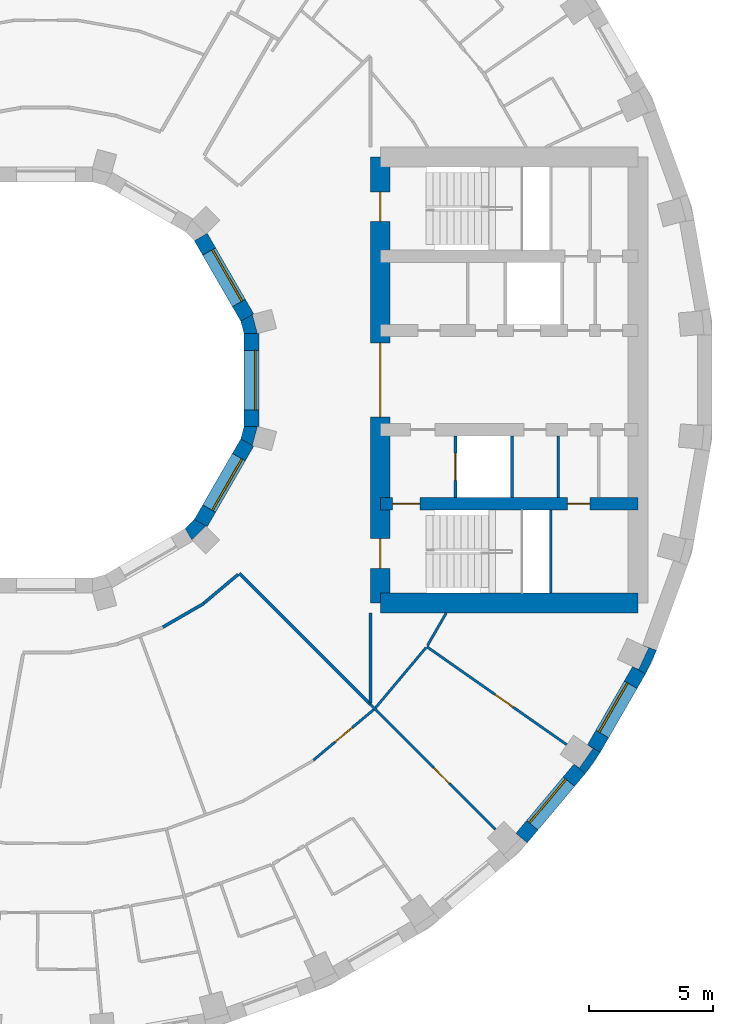
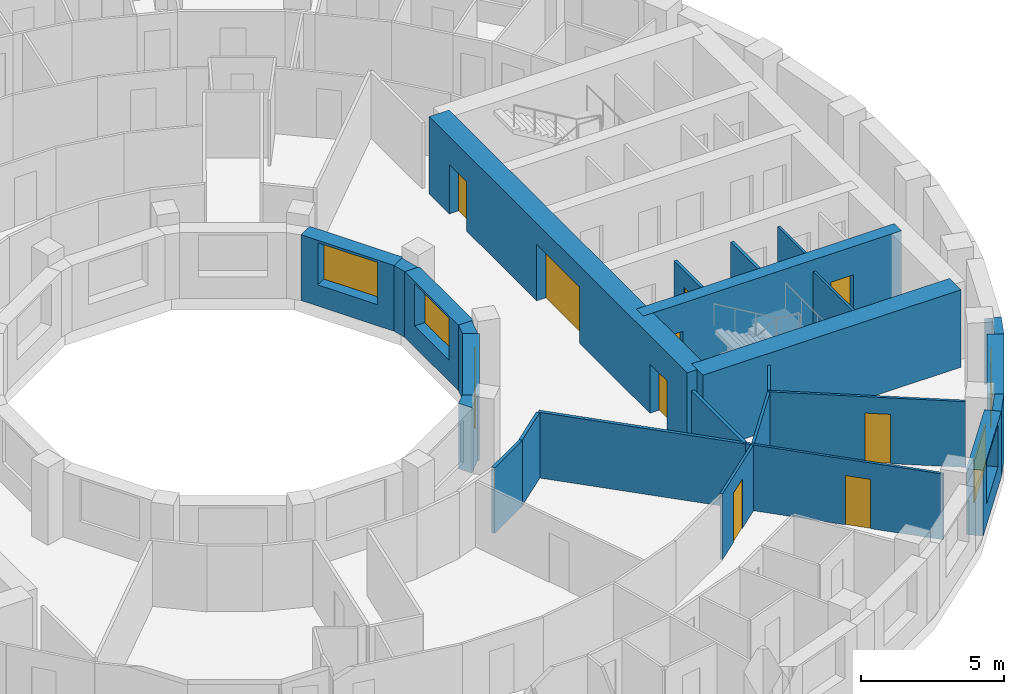
# One storey, part 8 of 14: 26 walls, 9 doors, 5 windows, 14 openings.
"""IFC4 building model written with IfcOpenShell, lengths in metres."""

from ifc_helpers import new_model, si_unit, direction, frame, frame_2d, origin, place, context, subcontext, project, spatial, polyline, rectangle, outline, extrude, material, layer, layer_set, type_object, element, fill, save


model = new_model("IFC4")

# Units and contexts
model_context = context("Model", 3, precision=1e-05, world=origin(), true_north=direction((0.0, 1.0)))
body_context = subcontext(model_context, "Body", "Model", "MODEL_VIEW")
ifc_project = project(units=[si_unit("LENGTHUNIT", "METRE"), si_unit("AREAUNIT", "SQUARE_METRE"), si_unit("VOLUMEUNIT", "CUBIC_METRE"), si_unit("PLANEANGLEUNIT", "RADIAN"), si_unit("MASSUNIT", "GRAM", prefix="KILO")], contexts=[model_context])

# Site, building, storey
site_placement = place(None, origin())
site = spatial("IfcSite", under=ifc_project, at=site_placement, CompositionType="ELEMENT")
building_placement = place(site_placement, origin())
building = spatial("IfcBuilding", under=site, at=building_placement, Name="Saqina Gate Tower", CompositionType="ELEMENT")
storey_placement = place(building_placement, frame((0.0, 0.0, 91.89990234375)))
storey = spatial("IfcBuildingStorey", under=building, at=storey_placement, Name="L25", CompositionType="ELEMENT", Elevation=91.89990234375)

# Walls
ifc_material_1 = material(Name="Brick masonry (buff)", Category="masonry")
wall_type_1 = type_object("IfcWallType", Name="BRICK PIER COPING BUFF", PredefinedType="SOLIDWALL", material=ifc_material_1)
wall_1_placement = place(storey_placement, origin())
element("IfcWall", 1, at=wall_1_placement, inside=storey, type_object=wall_type_1, Name="Pier cap L25 column 33", PredefinedType="SOLIDWALL", context=body_context, shape_type="SweptSolid", body=[
    extrude(outline(polyline([(22.3818359375, -15.0283203125), (21.862060546875, -14.728271484375), (22.08251953125, -14.88232421875), (21.53759765625, -15.66064453125), (21.317138671875, -15.50634765625), (21.77685546875, -15.89208984375), (22.3818359375, -15.0283203125)])), origin(), (0.0, 0.0, 1.0), 2.800048828125),
])
wall_2_placement = place(storey_placement, origin())
element("IfcWall", 2, at=wall_2_placement, inside=storey, type_object=wall_type_1, Name="Pier cap L25 column 34", PredefinedType="SOLIDWALL", context=body_context, shape_type="SweptSolid", body=[
    extrude(outline(polyline([(24.6513671875, -10.913330078125), (24.08740234375, -10.7080078125), (24.331298828125, -10.82177734375), (23.9296875, -11.6826171875), (23.68603515625, -11.569091796875), (24.205810546875, -11.869140625), (24.6513671875, -10.913330078125)])), origin(), (0.0, 0.0, 1.0), 2.800048828125),
])
ifc_material_2 = material(Name="Gypsum board on steel studs", Category="steel")
ifc_layer_1 = layer(ifc_material_2, 0.10009765625)
ifc_layer_set_1 = layer_set([ifc_layer_1], Name="CORE PARTITION")
wall_type_2 = type_object("IfcWallType", Name="CORE PARTITION", PredefinedType="PARTITIONING", material=ifc_layer_set_1)
wall_3_placement = place(storey_placement, frame((20.68603515625, -4.75, 0.0), z_axis=(0.0, 0.0, 1.0), x_axis=(0.0, 1.0, 0.0)))
element("IfcWall", 3, at=wall_3_placement, inside=storey, type_object=wall_type_2, Name="L25-CP-E07", PredefinedType="PARTITIONING", context=body_context, shape_type="SweptSolid", body=[
    extrude(rectangle(XDim=2.5, YDim=0.10009765625, at=frame_2d((1.25, 0.0))), origin(), (0.0, 0.0, 1.0), 2.800048828125),
])

# Wall, opening, window
ifc_material_3 = material(Name="Brick masonry (buff)", Category="masonry")
ifc_layer_2 = layer(ifc_material_3, 0.60009765625)
ifc_layer_set_2 = layer_set([ifc_layer_2], Name="FW-BRICK-BUFF")
wall_type_3 = type_object("IfcWallType", Name="FW-BRICK-BUFF", PredefinedType="SOLIDWALL", material=ifc_layer_set_2)
wall_4_placement = place(storey_placement, frame((19.202392578125, -18.49365234375, 0.0), z_axis=(0.0, 0.0, 1.0), x_axis=(0.642774476932, 0.766055462616, 0.0)))
wall_4 = element("IfcWall", 4, at=wall_4_placement, inside=storey, type_object=wall_type_3, Name="Facade wall L25 facet 32", PredefinedType="SOLIDWALL", context=body_context, shape_type="SweptSolid", body=[
    extrude(rectangle(XDim=3.647705078125, YDim=0.60009765625, at=frame_2d((1.82373046875, 0.0))), origin(), (0.0, 0.0, 1.0), 2.800048828125),
])
opening_1_placement = place(wall_4_placement, frame((0.673828125, 0.0, 0.89990234375)))
opening_1 = element("IfcOpeningElement", 5, at=opening_1_placement, cuts=wall_4, Name="Opening G07-W21", PredefinedType="OPENING", context=body_context, shape_type="SweptSolid", body=[
    extrude(rectangle(XDim=2.300048828125, YDim=1.800048828125, at=frame_2d((1.14990234375, 0.89990234375))), frame((0.0, 0.31201171875, 0.0), z_axis=(0.0, -1.0, 0.0), x_axis=(1.0, 0.0, 0.0)), (0.0, 0.0, 1.0), 0.6240234375),
])
ifc_material_4 = material(Name="Aluminium glazing", Category="aluminium")
window_type_1 = type_object("IfcWindowType", Name="WN-B", PartitioningType="SINGLE_PANEL", PredefinedType="WINDOW", material=ifc_material_4)
window_1_placement = place(opening_1_placement, origin())
window_1 = element("IfcWindow", 6, at=window_1_placement, inside=storey, type_object=window_type_1, Name="Window L25 facet 32", OverallHeight=1.800048828125, OverallWidth=2.300048828125, PartitioningType="SINGLE_PANEL", PredefinedType="WINDOW", context=body_context, shape_type="SweptSolid", body=[
    extrude(rectangle(XDim=2.300048828125, YDim=1.800048828125, at=frame_2d((1.14990234375, 0.89990234375))), frame((0.0, 0.179931640625, 0.0), z_axis=(0.0, -1.0, 0.0), x_axis=(1.0, 0.0, 0.0)), (0.0, 0.0, 1.0), 0.06005859375),
])
fill(opening_1, window_1)

wall_5_placement = place(storey_placement, frame((22.1220703125, -14.878173828125, 0.0), z_axis=(0.0, 0.0, 1.0), x_axis=(0.499954196102, 0.866051847062, 0.0)))
wall_5 = element("IfcWall", 7, at=wall_5_placement, inside=storey, type_object=wall_type_3, Name="Facade wall L25 facet 33", PredefinedType="SOLIDWALL", context=body_context, shape_type="SweptSolid", body=[
    extrude(rectangle(XDim=3.647705078125, YDim=0.60009765625, at=frame_2d((1.82373046875, 0.0))), origin(), (0.0, 0.0, 1.0), 2.800048828125),
])
opening_2_placement = place(wall_5_placement, frame((0.673828125, 0.0, 0.89990234375)))
opening_2 = element("IfcOpeningElement", 8, at=opening_2_placement, cuts=wall_5, Name="Opening G07-W22", PredefinedType="OPENING", context=body_context, shape_type="SweptSolid", body=[
    extrude(rectangle(XDim=2.300048828125, YDim=1.800048828125, at=frame_2d((1.14990234375, 0.89990234375))), frame((0.0, 0.31201171875, 0.0), z_axis=(0.0, -1.0, 0.0), x_axis=(1.0, 0.0, 0.0)), (0.0, 0.0, 1.0), 0.6240234375),
])
window_2_placement = place(opening_2_placement, origin())
window_2 = element("IfcWindow", 9, at=window_2_placement, inside=storey, type_object=window_type_1, Name="Window L25 facet 33", OverallHeight=1.800048828125, OverallWidth=2.300048828125, PartitioningType="SINGLE_PANEL", PredefinedType="WINDOW", context=body_context, shape_type="SweptSolid", body=[
    extrude(rectangle(XDim=2.300048828125, YDim=1.800048828125, at=frame_2d((1.14990234375, 0.89990234375))), frame((0.0, 0.179931640625, 0.0), z_axis=(0.0, -1.0, 0.0), x_axis=(1.0, 0.0, 0.0)), (0.0, 0.0, 1.0), 0.06005859375),
])
fill(opening_2, window_2)

ifc_material_5 = material(Name="Glazed ceramic tile", Category="ceramic")
ifc_layer_3 = layer(ifc_material_5, 0.60009765625)
ifc_layer_set_3 = layer_set([ifc_layer_3], Name="IW-TILE")
wall_type_4 = type_object("IfcWallType", Name="IW-TILE", PredefinedType="SOLIDWALL", material=ifc_layer_set_3)
wall_6_placement = place(storey_placement, frame((8.124755859375, 2.52734375, 0.0), z_axis=(0.0, 0.0, 1.0), x_axis=(-0.499964958637, 0.86604563398, 0.0)))
wall_6 = element("IfcWall", 10, at=wall_6_placement, inside=storey, type_object=wall_type_4, Name="Well wall L25 facet 1", PredefinedType="SOLIDWALL", context=body_context, shape_type="SweptSolid", body=[
    extrude(rectangle(XDim=3.747314453125, YDim=0.60009765625, at=frame_2d((1.87353515625, 0.0))), origin(), (0.0, 0.0, 1.0), 2.800048828125),
])
opening_3_placement = place(wall_6_placement, frame((0.673583984375, 0.0, 0.89990234375)))
opening_3 = element("IfcOpeningElement", 11, at=opening_3_placement, cuts=wall_6, Name="Opening G07-W23", PredefinedType="OPENING", context=body_context, shape_type="SweptSolid", body=[
    extrude(rectangle(XDim=2.39990234375, YDim=1.800048828125, at=frame_2d((1.199951171875, 0.89990234375))), frame((0.0, 0.31201171875, 0.0), z_axis=(0.0, -1.0, 0.0), x_axis=(1.0, 0.0, 0.0)), (0.0, 0.0, 1.0), 0.6240234375),
])
ifc_material_6 = material(Name="Aluminium glazing", Category="aluminium")
window_type_2 = type_object("IfcWindowType", Name="WN-W", PartitioningType="SINGLE_PANEL", PredefinedType="WINDOW", material=ifc_material_6)
window_3_placement = place(opening_3_placement, origin())
window_3 = element("IfcWindow", 12, at=window_3_placement, inside=storey, type_object=window_type_2, Name="Well window L25 facet 1", OverallHeight=1.800048828125, OverallWidth=2.39990234375, PartitioningType="SINGLE_PANEL", PredefinedType="WINDOW", context=body_context, shape_type="SweptSolid", body=[
    extrude(rectangle(XDim=2.39990234375, YDim=1.800048828125, at=frame_2d((1.199951171875, 0.89990234375))), frame((0.0, -0.119873046875, 0.0), z_axis=(0.0, -1.0, 0.0), x_axis=(1.0, 0.0, 0.0)), (0.0, 0.0, 1.0), 0.06005859375),
])
fill(opening_3, window_3)

wall_7_placement = place(storey_placement, frame((6.251220703125, -5.772705078125, 0.0), z_axis=(0.0, 0.0, 1.0), x_axis=(0.499964958637, 0.86604563398, 0.0)))
wall_7 = element("IfcWall", 13, at=wall_7_placement, inside=storey, type_object=wall_type_4, Name="Well wall L25 facet 11", PredefinedType="SOLIDWALL", context=body_context, shape_type="SweptSolid", body=[
    extrude(rectangle(XDim=3.747314453125, YDim=0.60009765625, at=frame_2d((1.87353515625, 0.0))), origin(), (0.0, 0.0, 1.0), 2.800048828125),
])
opening_4_placement = place(wall_7_placement, frame((0.673583984375, 0.0, 0.89990234375)))
opening_4 = element("IfcOpeningElement", 14, at=opening_4_placement, cuts=wall_7, Name="Opening G07-W33", PredefinedType="OPENING", context=body_context, shape_type="SweptSolid", body=[
    extrude(rectangle(XDim=2.39990234375, YDim=1.800048828125, at=frame_2d((1.199951171875, 0.89990234375))), frame((0.0, 0.31201171875, 0.0), z_axis=(0.0, -1.0, 0.0), x_axis=(1.0, 0.0, 0.0)), (0.0, 0.0, 1.0), 0.6240234375),
])
window_4_placement = place(opening_4_placement, origin())
window_4 = element("IfcWindow", 15, at=window_4_placement, inside=storey, type_object=window_type_2, Name="Well window L25 facet 11", OverallHeight=1.800048828125, OverallWidth=2.39990234375, PartitioningType="SINGLE_PANEL", PredefinedType="WINDOW", context=body_context, shape_type="SweptSolid", body=[
    extrude(rectangle(XDim=2.39990234375, YDim=1.800048828125, at=frame_2d((1.199951171875, 0.89990234375))), frame((0.0, -0.119873046875, 0.0), z_axis=(0.0, -1.0, 0.0), x_axis=(1.0, 0.0, 0.0)), (0.0, 0.0, 1.0), 0.06005859375),
])
fill(opening_4, window_4)

wall_8_placement = place(storey_placement, frame((8.300048828125, -1.873779296875, 0.0), z_axis=(0.0, 0.0, 1.0), x_axis=(0.0, 1.0, 0.0)))
wall_8 = element("IfcWall", 16, at=wall_8_placement, inside=storey, type_object=wall_type_4, Name="Well wall L25 facet 12", PredefinedType="SOLIDWALL", context=body_context, shape_type="SweptSolid", body=[
    extrude(rectangle(XDim=3.74755859375, YDim=0.60009765625, at=frame_2d((1.873779296875, 0.0))), origin(), (0.0, 0.0, 1.0), 2.800048828125),
])
opening_5_placement = place(wall_8_placement, frame((0.673583984375, 0.0, 0.89990234375)))
opening_5 = element("IfcOpeningElement", 17, at=opening_5_placement, cuts=wall_8, Name="Opening G07-W34", PredefinedType="OPENING", context=body_context, shape_type="SweptSolid", body=[
    extrude(rectangle(XDim=2.39990234375, YDim=1.800048828125, at=frame_2d((1.199951171875, 0.89990234375))), frame((0.0, 0.31201171875, 0.0), z_axis=(0.0, -1.0, 0.0), x_axis=(1.0, 0.0, 0.0)), (0.0, 0.0, 1.0), 0.6240234375),
])
window_5_placement = place(opening_5_placement, origin())
window_5 = element("IfcWindow", 18, at=window_5_placement, inside=storey, type_object=window_type_2, Name="Well window L25 facet 12", OverallHeight=1.800048828125, OverallWidth=2.39990234375, PartitioningType="SINGLE_PANEL", PredefinedType="WINDOW", context=body_context, shape_type="SweptSolid", body=[
    extrude(rectangle(XDim=2.39990234375, YDim=1.800048828125, at=frame_2d((1.199951171875, 0.89990234375))), frame((0.0, -0.119873046875, 0.0), z_axis=(0.0, -1.0, 0.0), x_axis=(1.0, 0.0, 0.0)), (0.0, 0.0, 1.0), 0.06005859375),
])
fill(opening_5, window_5)

# Wall, opening, door
ifc_material_7 = material(Name="Gypsum board on steel studs, 100 mm", Category="steel")
ifc_layer_4 = layer(ifc_material_7, 0.10009765625)
ifc_layer_set_4 = layer_set([ifc_layer_4], Name="PARTITION 100")
wall_type_5 = type_object("IfcWallType", Name="PARTITION 100", PredefinedType="PARTITIONING", material=ifc_layer_set_4)
wall_9_placement = place(storey_placement, frame((13.10009765625, -13.10009765625, 0.0), z_axis=(0.0, 0.0, 1.0), x_axis=(0.707106781187, -0.707106781187, 0.0)))
wall_9 = element("IfcWall", 19, at=wall_9_placement, inside=storey, type_object=wall_type_5, Name="PARTITION PW3-22", PredefinedType="PARTITIONING", context=body_context, shape_type="SweptSolid", body=[
    extrude(rectangle(XDim=7.138671875, YDim=0.10009765625, at=frame_2d((3.5693359375, 0.0))), origin(), (0.0, 0.0, 1.0), 2.800048828125),
])
opening_6_placement = place(wall_9_placement, frame((3.60888671875, 0.0, 0.0)))
opening_6 = element("IfcOpeningElement", 20, at=opening_6_placement, cuts=wall_9, Name="Opening G07-D49", PredefinedType="OPENING", context=body_context, shape_type="SweptSolid", body=[
    extrude(rectangle(XDim=0.89990234375, YDim=2.10009765625, at=frame_2d((0.449951171875, 1.050048828125))), frame((0.0, 0.06201171875, 0.0), z_axis=(0.0, -1.0, 0.0), x_axis=(1.0, 0.0, 0.0)), (0.0, 0.0, 1.0), 0.1240234375),
])
ifc_material_8 = material(Name="Timber door leaf, 900 mm", Category="wood")
door_type_1 = type_object("IfcDoorType", Name="DOOR 900 TIMBER", OperationType="SINGLE_SWING_LEFT", PredefinedType="DOOR", material=ifc_material_8)
door_1_placement = place(opening_6_placement, frame((0.89990234375, 0.0, 0.0), z_axis=(0.0, 0.0, 1.0), x_axis=(-1.0, 0.0, 0.0)))
door_1 = element("IfcDoor", 21, at=door_1_placement, inside=storey, type_object=door_type_1, Name="DOOR G07-D49", OperationType="SINGLE_SWING_LEFT", OverallHeight=2.10009765625, OverallWidth=0.89990234375, PredefinedType="DOOR", context=body_context, shape_type="SweptSolid", body=[
    extrude(rectangle(XDim=0.89990234375, YDim=2.10009765625, at=frame_2d((0.449951171875, 1.050048828125))), frame((0.0, 0.02490234375, 0.0), z_axis=(0.0, -1.0, 0.0), x_axis=(1.0, 0.0, 0.0)), (0.0, 0.0, 1.0), 0.050048828125),
])
fill(opening_6, door_1)

wall_10_placement = place(storey_placement, frame((15.3759765625, -10.76611328125, 0.0), z_axis=(0.0, 0.0, 1.0), x_axis=(0.819178682921, -0.573538390562, 0.0)))
wall_10 = element("IfcWall", 22, at=wall_10_placement, inside=storey, type_object=wall_type_5, Name="PARTITION PW3-29", PredefinedType="PARTITIONING", context=body_context, shape_type="SweptSolid", body=[
    extrude(rectangle(XDim=6.89453125, YDim=0.10009765625, at=frame_2d((3.447265625, 0.0))), origin(), (0.0, 0.0, 1.0), 2.800048828125),
])
opening_7_placement = place(wall_10_placement, frame((3.36474609375, 0.0, 0.0)))
opening_7 = element("IfcOpeningElement", 23, at=opening_7_placement, cuts=wall_10, Name="Opening G07-D50", PredefinedType="OPENING", context=body_context, shape_type="SweptSolid", body=[
    extrude(rectangle(XDim=0.89990234375, YDim=2.10009765625, at=frame_2d((0.449951171875, 1.050048828125))), frame((0.0, 0.06201171875, 0.0), z_axis=(0.0, -1.0, 0.0), x_axis=(1.0, 0.0, 0.0)), (0.0, 0.0, 1.0), 0.1240234375),
])
door_2_placement = place(opening_7_placement, origin())
door_2 = element("IfcDoor", 24, at=door_2_placement, inside=storey, type_object=door_type_1, Name="DOOR G07-D50", OperationType="SINGLE_SWING_RIGHT", OverallHeight=2.10009765625, OverallWidth=0.89990234375, PredefinedType="DOOR", context=body_context, shape_type="SweptSolid", body=[
    extrude(rectangle(XDim=0.89990234375, YDim=2.10009765625, at=frame_2d((0.449951171875, 1.050048828125))), frame((0.0, 0.02490234375, 0.0), z_axis=(0.0, -1.0, 0.0), x_axis=(1.0, 0.0, 0.0)), (0.0, 0.0, 1.0), 0.050048828125),
])
fill(opening_7, door_2)

wall_11_placement = place(storey_placement, frame((10.80419921875, -15.34375, 0.0), z_axis=(0.0, 0.0, 1.0), x_axis=(0.766167094934, 0.642641410618, 0.0)))
wall_11 = element("IfcWall", 25, at=wall_11_placement, inside=storey, type_object=wall_type_5, Name="PARTITION PW3-78", PredefinedType="PARTITIONING", context=body_context, shape_type="SweptSolid", body=[
    extrude(rectangle(XDim=3.172119140625, YDim=0.10009765625, at=frame_2d((1.5859375, 0.0))), origin(), (0.0, 0.0, 1.0), 2.800048828125),
])
opening_8_placement = place(wall_11_placement, frame((1.135986328125, 0.0, 0.0)))
opening_8 = element("IfcOpeningElement", 26, at=opening_8_placement, cuts=wall_11, Name="Opening G07-D48", PredefinedType="OPENING", context=body_context, shape_type="SweptSolid", body=[
    extrude(rectangle(XDim=0.89990234375, YDim=2.10009765625, at=frame_2d((0.449951171875, 1.050048828125))), frame((0.0, 0.06201171875, 0.0), z_axis=(0.0, -1.0, 0.0), x_axis=(1.0, 0.0, 0.0)), (0.0, 0.0, 1.0), 0.1240234375),
])
door_3_placement = place(opening_8_placement, origin())
door_3 = element("IfcDoor", 27, at=door_3_placement, inside=storey, type_object=door_type_1, Name="DOOR G07-D48", OperationType="SINGLE_SWING_LEFT", OverallHeight=2.10009765625, OverallWidth=0.89990234375, PredefinedType="DOOR", context=body_context, shape_type="SweptSolid", body=[
    extrude(rectangle(XDim=0.89990234375, YDim=2.10009765625, at=frame_2d((0.449951171875, 1.050048828125))), frame((0.0, 0.02490234375, 0.0), z_axis=(0.0, -1.0, 0.0), x_axis=(1.0, 0.0, 0.0)), (0.0, 0.0, 1.0), 0.050048828125),
])
fill(opening_8, door_3)

# Walls
wall_12_placement = place(storey_placement, frame((13.30517578125, -13.234619140625, 0.0), z_axis=(0.0, 0.0, 1.0), x_axis=(0.642641410618, 0.766167094934, 0.0)))
element("IfcWall", 28, at=wall_12_placement, inside=storey, type_object=wall_type_5, Name="PARTITION PW3-82", PredefinedType="PARTITIONING", context=body_context, shape_type="SweptSolid", body=[
    extrude(rectangle(XDim=3.172119140625, YDim=0.10009765625, at=frame_2d((1.5859375, 0.0))), origin(), (0.0, 0.0, 1.0), 2.800048828125),
])
wall_13_placement = place(storey_placement, frame((15.401123046875, -10.72265625, 0.0), z_axis=(0.0, 0.0, 1.0), x_axis=(0.500035603698, 0.866004847004, 0.0)))
element("IfcWall", 29, at=wall_13_placement, inside=storey, type_object=wall_type_5, Name="PARTITION PW3-88", PredefinedType="PARTITIONING", context=body_context, shape_type="SweptSolid", body=[
    extrude(rectangle(XDim=1.52978515625, YDim=0.10009765625, at=frame_2d((0.764892578125, 0.0))), origin(), (0.0, 0.0, 1.0), 2.800048828125),
])
ifc_material_9 = material(Name="Gypsum board on steel studs, 125 mm, fire rated", Category="steel")
ifc_layer_5 = layer(ifc_material_9, 0.125)
ifc_layer_set_5 = layer_set([ifc_layer_5], Name="PARTITION EI 30 125")
wall_type_6 = type_object("IfcWallType", Name="PARTITION EI 30 125", PredefinedType="PARTITIONING", material=ifc_layer_set_5)
wall_14_placement = place(storey_placement, frame((7.80810546875, -7.80810546875, 0.0), z_axis=(0.0, 0.0, 1.0), x_axis=(0.707106781187, -0.707106781187, 0.0)))
element("IfcWall", 30, at=wall_14_placement, inside=storey, type_object=wall_type_6, Name="PARTITION PW1-10", PredefinedType="PARTITIONING", context=body_context, shape_type="SweptSolid", body=[
    extrude(rectangle(XDim=7.48388671875, YDim=0.125, at=frame_2d((3.741943359375, 0.0))), origin(), (0.0, 0.0, 1.0), 2.800048828125),
])
wall_15_placement = place(storey_placement, frame((4.72119140625, -9.975830078125, 0.0), z_axis=(0.0, 0.0, 1.0), x_axis=(0.865946867621, 0.500136003959, 0.0)))
element("IfcWall", 31, at=wall_15_placement, inside=storey, type_object=wall_type_6, Name="PARTITION PW1-40", PredefinedType="PARTITIONING", context=body_context, shape_type="SweptSolid", body=[
    extrude(rectangle(XDim=1.9248046875, YDim=0.125, at=frame_2d((0.96240234375, 0.0))), origin(), (0.0, 0.0, 1.0), 2.800048828125),
])
wall_16_placement = place(storey_placement, frame((6.380859375, -9.0048828125, 0.0), z_axis=(0.0, 0.0, 1.0), x_axis=(0.766182926266, 0.642622535785, 0.0)))
element("IfcWall", 32, at=wall_16_placement, inside=storey, type_object=wall_type_6, Name="PARTITION PW1-41", PredefinedType="PARTITIONING", context=body_context, shape_type="SweptSolid", body=[
    extrude(rectangle(XDim=1.800048828125, YDim=0.125, at=frame_2d((0.89990234375, 0.0))), origin(), (0.0, 0.0, 1.0), 2.800048828125),
])
wall_17_placement = place(storey_placement, frame((13.10009765625, -13.03759765625, 0.0), z_axis=(0.0, 0.0, 1.0), x_axis=(0.0, 1.0, 0.0)))
element("IfcWall", 33, at=wall_17_placement, inside=storey, type_object=wall_type_6, Name="PARTITION PW1-49", PredefinedType="PARTITIONING", context=body_context, shape_type="SweptSolid", body=[
    extrude(rectangle(XDim=3.6376953125, YDim=0.125, at=frame_2d((1.81884765625, 0.0))), origin(), (0.0, 0.0, 1.0), 2.800048828125),
])

# Wall, opening, door
ifc_material_10 = material(Name="Autoclaved aerated concrete block", Category="concrete")
ifc_layer_6 = layer(ifc_material_10, 0.1201171875)
ifc_layer_set_6 = layer_set([ifc_layer_6], Name="SHAFT PARTITION")
wall_type_7 = type_object("IfcWallType", Name="SHAFT PARTITION", PredefinedType="PARTITIONING", material=ifc_layer_set_6)
wall_18_placement = place(storey_placement, frame((16.530029296875, -4.75, 0.0), z_axis=(0.0, 0.0, 1.0), x_axis=(0.0, 1.0, 0.0)))
wall_18 = element("IfcWall", 34, at=wall_18_placement, inside=storey, type_object=wall_type_7, Name="L25-CP-E05", PredefinedType="PARTITIONING", context=body_context, shape_type="SweptSolid", body=[
    extrude(rectangle(XDim=2.5, YDim=0.1201171875, at=frame_2d((1.25, 0.0))), origin(), (0.0, 0.0, 1.0), 2.800048828125),
])
opening_9_placement = place(wall_18_placement, frame((0.699951171875, 0.0, 0.0)))
opening_9 = element("IfcOpeningElement", 35, at=opening_9_placement, cuts=wall_18, Name="Opening G07-LD2", PredefinedType="OPENING", context=body_context, shape_type="SweptSolid", body=[
    extrude(rectangle(XDim=1.10009765625, YDim=2.10009765625, at=frame_2d((0.550048828125, 1.050048828125))), frame((0.0, 0.072021484375, 0.0), z_axis=(0.0, -1.0, 0.0), x_axis=(1.0, 0.0, 0.0)), (0.0, 0.0, 1.0), 0.14404296875),
])
ifc_material_11 = material(Name="Stainless steel", Category="steel")
door_type_2 = type_object("IfcDoorType", Name="LANDING DOOR", OperationType="DOUBLE_DOOR_SLIDING", PredefinedType="DOOR", material=ifc_material_11)
door_4_placement = place(opening_9_placement, origin())
door_4 = element("IfcDoor", 36, at=door_4_placement, inside=storey, type_object=door_type_2, Name="LANDING DOOR FF1", OperationType="DOUBLE_DOOR_SLIDING", OverallHeight=2.10009765625, OverallWidth=1.10009765625, PredefinedType="DOOR", context=body_context, shape_type="SweptSolid", body=[
    extrude(rectangle(XDim=1.10009765625, YDim=2.10009765625, at=frame_2d((0.550048828125, 1.050048828125))), frame((0.0, 0.02490234375, 0.0), z_axis=(0.0, -1.0, 0.0), x_axis=(1.0, 0.0, 0.0)), (0.0, 0.0, 1.0), 0.050048828125),
])
fill(opening_9, door_4)

# Walls
wall_19_placement = place(storey_placement, frame((18.81005859375, -4.75, 0.0), z_axis=(0.0, 0.0, 1.0), x_axis=(0.0, 1.0, 0.0)))
element("IfcWall", 37, at=wall_19_placement, inside=storey, type_object=wall_type_7, Name="L25-CP-E06", PredefinedType="PARTITIONING", context=body_context, shape_type="SweptSolid", body=[
    extrude(rectangle(XDim=2.5, YDim=0.1201171875, at=frame_2d((1.25, 0.0))), origin(), (0.0, 0.0, 1.0), 2.800048828125),
])
ifc_material_12 = material(Name="Autoclaved aerated concrete block", Category="concrete")
ifc_layer_7 = layer(ifc_material_12, 0.10009765625)
ifc_layer_set_7 = layer_set([ifc_layer_7], Name="STAIR ENCLOSURE WALL")
wall_type_8 = type_object("IfcWallType", Name="STAIR ENCLOSURE WALL", PredefinedType="PARTITIONING", material=ifc_layer_set_7)
wall_20_placement = place(storey_placement, frame((20.389892578125, -8.60009765625, 0.0), z_axis=(0.0, 0.0, 1.0), x_axis=(0.0, 1.0, 0.0)))
element("IfcWall", 38, at=wall_20_placement, inside=storey, type_object=wall_type_8, Name="L25-CP-E11", PredefinedType="PARTITIONING", context=body_context, shape_type="SweptSolid", body=[
    extrude(rectangle(XDim=3.35009765625, YDim=0.10009765625, at=frame_2d((1.675048828125, 0.0))), origin(), (0.0, 0.0, 1.0), 2.800048828125),
])

# Wall, openings, doors
ifc_material_13 = material(Name="Concrete C70/85", Category="concrete")
ifc_layer_8 = layer(ifc_material_13, 0.5)
ifc_layer_set_8 = layer_set([ifc_layer_8], Name="Concrete C70/85")
wall_type_9 = type_object("IfcWallType", Name="STR-CORE WALL-B-I", PredefinedType="SHEAR", material=ifc_layer_set_8)
wall_21_placement = place(storey_placement, frame((13.5, -5.0, 0.0), z_axis=(0.0, 0.0, 1.0), x_axis=(1.0, 0.0, 0.0)))
wall_21 = element("IfcWall", 39, at=wall_21_placement, inside=storey, type_object=wall_type_9, Name="CORE WALL L25 E-X2", PredefinedType="SHEAR", context=body_context, shape_type="SweptSolid", body=[
    extrude(rectangle(XDim=10.39990234375, YDim=0.5, at=frame_2d((5.199951171875, 0.0))), origin(), (0.0, 0.0, 1.0), 3.300048828125),
])
opening_10_placement = place(wall_21_placement, frame((7.556640625, 0.0, 0.0)))
opening_10 = element("IfcOpeningElement", 40, at=opening_10_placement, cuts=wall_21, Name="Opening G07-D100", PredefinedType="OPENING", context=body_context, shape_type="SweptSolid", body=[
    extrude(rectangle(XDim=0.89990234375, YDim=2.10009765625, at=frame_2d((0.449951171875, 1.050048828125))), frame((0.0, 0.261962890625, 0.0), z_axis=(0.0, -1.0, 0.0), x_axis=(1.0, 0.0, 0.0)), (0.0, 0.0, 1.0), 0.52392578125),
])
opening_11_placement = place(wall_21_placement, frame((0.5, 0.0, 0.0)))
opening_11 = element("IfcOpeningElement", 41, at=opening_11_placement, cuts=wall_21, Name="Opening G07-D101", PredefinedType="OPENING", context=body_context, shape_type="SweptSolid", body=[
    extrude(rectangle(XDim=1.10009765625, YDim=2.10009765625, at=frame_2d((0.550048828125, 1.050048828125))), frame((0.0, 0.261962890625, 0.0), z_axis=(0.0, -1.0, 0.0), x_axis=(1.0, 0.0, 0.0)), (0.0, 0.0, 1.0), 0.52392578125),
])
ifc_material_14 = material(Name="Steel", Category="steel")
door_type_3 = type_object("IfcDoorType", Name="FIRE LOBBY DOOR EI 60 WIDE", OperationType="SINGLE_SWING_LEFT", PredefinedType="DOOR", material=ifc_material_14)
door_5_placement = place(opening_11_placement, frame((1.10009765625, 0.0, 0.0), z_axis=(0.0, 0.0, 1.0), x_axis=(-1.0, 0.0, 0.0)))
door_5 = element("IfcDoor", 42, at=door_5_placement, inside=storey, type_object=door_type_3, Name="L25-CD-E12", OperationType="SINGLE_SWING_RIGHT", OverallHeight=2.10009765625, OverallWidth=1.10009765625, PredefinedType="DOOR", context=body_context, shape_type="SweptSolid", body=[
    extrude(rectangle(XDim=1.10009765625, YDim=2.10009765625, at=frame_2d((0.550048828125, 1.050048828125))), frame((0.0, 0.02490234375, 0.0), z_axis=(0.0, -1.0, 0.0), x_axis=(1.0, 0.0, 0.0)), (0.0, 0.0, 1.0), 0.050048828125),
])
fill(opening_11, door_5)
ifc_material_15 = material(Name="Steel-framed fire door leaf, EI 60", Category="steel")
door_type_4 = type_object("IfcDoorType", Name="SERVICE ROOM DOOR 900", OperationType="SINGLE_SWING_LEFT", PredefinedType="DOOR", material=ifc_material_15)
door_6_placement = place(opening_10_placement, frame((0.89990234375, 0.0, 0.0), z_axis=(0.0, 0.0, 1.0), x_axis=(-1.0, 0.0, 0.0)))
door_6 = element("IfcDoor", 43, at=door_6_placement, inside=storey, type_object=door_type_4, Name="L25-CD-E11", OperationType="SINGLE_SWING_LEFT", OverallHeight=2.10009765625, OverallWidth=0.89990234375, PredefinedType="DOOR", context=body_context, shape_type="SweptSolid", body=[
    extrude(rectangle(XDim=0.89990234375, YDim=2.10009765625, at=frame_2d((0.449951171875, 1.050048828125))), frame((0.0, 0.02490234375, 0.0), z_axis=(0.0, -1.0, 0.0), x_axis=(1.0, 0.0, 0.0)), (0.0, 0.0, 1.0), 0.050048828125),
])
fill(opening_10, door_6)

ifc_material_16 = material(Name="Concrete C70/85", Category="concrete")
ifc_layer_9 = layer(ifc_material_16, 0.800048828125)
ifc_layer_set_9 = layer_set([ifc_layer_9], Name="Concrete C70/85")
wall_type_10 = type_object("IfcWallType", Name="STR-CORE WALL-B-O", PredefinedType="SHEAR", material=ifc_layer_set_9)
wall_22_placement = place(storey_placement, frame((13.5, -9.0, 0.0), z_axis=(0.0, 0.0, 1.0), x_axis=(0.0, 1.0, 0.0)))
wall_22 = element("IfcWall", 44, at=wall_22_placement, inside=storey, type_object=wall_type_10, Name="CORE WALL L25 E-W1", PredefinedType="SHEAR", context=body_context, shape_type="SweptSolid", body=[
    extrude(rectangle(XDim=18.0, YDim=0.800048828125, at=frame_2d((9.0, 0.0))), origin(), (0.0, 0.0, 1.0), 3.300048828125),
])
opening_12_placement = place(wall_22_placement, frame((15.39990234375, 0.0, 0.0)))
opening_12 = element("IfcOpeningElement", 45, at=opening_12_placement, cuts=wall_22, Name="Opening G07-D102", PredefinedType="OPENING", context=body_context, shape_type="SweptSolid", body=[
    extrude(rectangle(XDim=1.199951171875, YDim=2.10009765625, at=frame_2d((0.60009765625, 1.050048828125))), frame((0.0, 0.412109375, 0.0), z_axis=(0.0, -1.0, 0.0), x_axis=(1.0, 0.0, 0.0)), (0.0, 0.0, 1.0), 0.823974609375),
])
opening_13_placement = place(wall_22_placement, frame((1.39990234375, 0.0, 0.0)))
opening_13 = element("IfcOpeningElement", 46, at=opening_13_placement, cuts=wall_22, Name="Opening G07-D103", PredefinedType="OPENING", context=body_context, shape_type="SweptSolid", body=[
    extrude(rectangle(XDim=1.199951171875, YDim=2.10009765625, at=frame_2d((0.60009765625, 1.050048828125))), frame((0.0, 0.412109375, 0.0), z_axis=(0.0, -1.0, 0.0), x_axis=(1.0, 0.0, 0.0)), (0.0, 0.0, 1.0), 0.823974609375),
])
opening_14_placement = place(wall_22_placement, frame((7.5, 0.0, 0.0)))
opening_14 = element("IfcOpeningElement", 47, at=opening_14_placement, cuts=wall_22, Name="Opening G07-D104", PredefinedType="OPENING", context=body_context, shape_type="SweptSolid", body=[
    extrude(rectangle(XDim=3.0, YDim=2.39990234375, at=frame_2d((1.5, 1.199951171875))), frame((0.0, 0.412109375, 0.0), z_axis=(0.0, -1.0, 0.0), x_axis=(1.0, 0.0, 0.0)), (0.0, 0.0, 1.0), 0.823974609375),
])
ifc_material_17 = material(Name="Steel", Category="steel")
door_type_5 = type_object("IfcDoorType", Name="FIRE DOOR EI 60", OperationType="SINGLE_SWING_LEFT", PredefinedType="DOOR", material=ifc_material_17)
door_7_placement = place(opening_12_placement, frame((1.199951171875, 0.0, 0.0), z_axis=(0.0, 0.0, 1.0), x_axis=(-1.0, 0.0, 0.0)))
door_7 = element("IfcDoor", 48, at=door_7_placement, inside=storey, type_object=door_type_5, Name="L25-CD-E13", OperationType="SINGLE_SWING_LEFT", OverallHeight=2.10009765625, OverallWidth=1.199951171875, PredefinedType="DOOR", context=body_context, shape_type="SweptSolid", body=[
    extrude(rectangle(XDim=1.199951171875, YDim=2.10009765625, at=frame_2d((0.60009765625, 1.050048828125))), frame((0.0, 0.02490234375, 0.0), z_axis=(0.0, -1.0, 0.0), x_axis=(1.0, 0.0, 0.0)), (0.0, 0.0, 1.0), 0.050048828125),
])
fill(opening_12, door_7)
door_8_placement = place(opening_13_placement, frame((1.199951171875, 0.0, 0.0), z_axis=(0.0, 0.0, 1.0), x_axis=(-1.0, 0.0, 0.0)))
door_8 = element("IfcDoor", 49, at=door_8_placement, inside=storey, type_object=door_type_5, Name="L25-CD-E14", OperationType="SINGLE_SWING_RIGHT", OverallHeight=2.10009765625, OverallWidth=1.199951171875, PredefinedType="DOOR", context=body_context, shape_type="SweptSolid", body=[
    extrude(rectangle(XDim=1.199951171875, YDim=2.10009765625, at=frame_2d((0.60009765625, 1.050048828125))), frame((0.0, 0.02490234375, 0.0), z_axis=(0.0, -1.0, 0.0), x_axis=(1.0, 0.0, 0.0)), (0.0, 0.0, 1.0), 0.050048828125),
])
fill(opening_13, door_8)
ifc_material_18 = material(Name="Steel and fire-resisting glass", Category="steel")
door_type_6 = type_object("IfcDoorType", Name="LOBBY SCREEN DOOR", OperationType="DOUBLE_DOOR_SLIDING", PredefinedType="DOOR", material=ifc_material_18)
door_9_placement = place(opening_14_placement, origin())
door_9 = element("IfcDoor", 50, at=door_9_placement, inside=storey, type_object=door_type_6, Name="L25-CD-E15", OperationType="DOUBLE_DOOR_SLIDING", OverallHeight=2.39990234375, OverallWidth=3.0, PredefinedType="DOOR", context=body_context, shape_type="SweptSolid", body=[
    extrude(rectangle(XDim=3.0, YDim=2.39990234375, at=frame_2d((1.5, 1.199951171875))), frame((0.0, 0.02490234375, 0.0), z_axis=(0.0, -1.0, 0.0), x_axis=(1.0, 0.0, 0.0)), (0.0, 0.0, 1.0), 0.050048828125),
])
fill(opening_14, door_9)

# Walls
wall_23_placement = place(storey_placement, frame((13.5, -9.0, 0.0), z_axis=(0.0, 0.0, 1.0), x_axis=(1.0, 0.0, 0.0)))
element("IfcWall", 51, at=wall_23_placement, inside=storey, type_object=wall_type_10, Name="CORE WALL L25 E-SE", PredefinedType="SHEAR", context=body_context, shape_type="SweptSolid", body=[
    extrude(rectangle(XDim=10.39990234375, YDim=0.800048828125, at=frame_2d((5.199951171875, 0.0))), origin(), (0.0, 0.0, 1.0), 3.300048828125),
])
ifc_material_19 = material(Name="Glazed ceramic tile", Category="ceramic")
wall_type_11 = type_object("IfcWallType", Name="TILE PIER COPING", PredefinedType="SOLIDWALL", material=ifc_material_19)
wall_24_placement = place(storey_placement, origin())
element("IfcWall", 52, at=wall_24_placement, inside=storey, type_object=wall_type_11, Name="Well pier cap L25 column 1", PredefinedType="SOLIDWALL", context=body_context, shape_type="SweptSolid", body=[
    extrude(outline(polyline([(8.3310546875, 2.646484375), (7.864990234375, 2.377197265625), (8.0, 1.873779296875), (8.5380859375, 1.873779296875), (8.3310546875, 2.646484375)])), origin(), (0.0, 0.0, 1.0), 2.800048828125),
])
wall_25_placement = place(storey_placement, origin())
element("IfcWall", 53, at=wall_25_placement, inside=storey, type_object=wall_type_11, Name="Well pier cap L25 column 11", PredefinedType="SOLIDWALL", context=body_context, shape_type="SweptSolid", body=[
    extrude(outline(polyline([(5.891845703125, -6.45751953125), (6.45751953125, -5.891845703125), (5.991455078125, -5.622802734375), (5.622802734375, -5.991455078125), (5.891845703125, -6.45751953125)])), origin(), (0.0, 0.0, 1.0), 2.800048828125),
])
wall_26_placement = place(storey_placement, origin())
element("IfcWall", 54, at=wall_26_placement, inside=storey, type_object=wall_type_11, Name="Well pier cap L25 column 12", PredefinedType="SOLIDWALL", context=body_context, shape_type="SweptSolid", body=[
    extrude(outline(polyline([(8.5380859375, -1.873779296875), (8.0, -1.873779296875), (7.864990234375, -2.377197265625), (8.3310546875, -2.646484375), (8.5380859375, -1.873779296875)])), origin(), (0.0, 0.0, 1.0), 2.800048828125),
])

save(model, "model.ifc")
